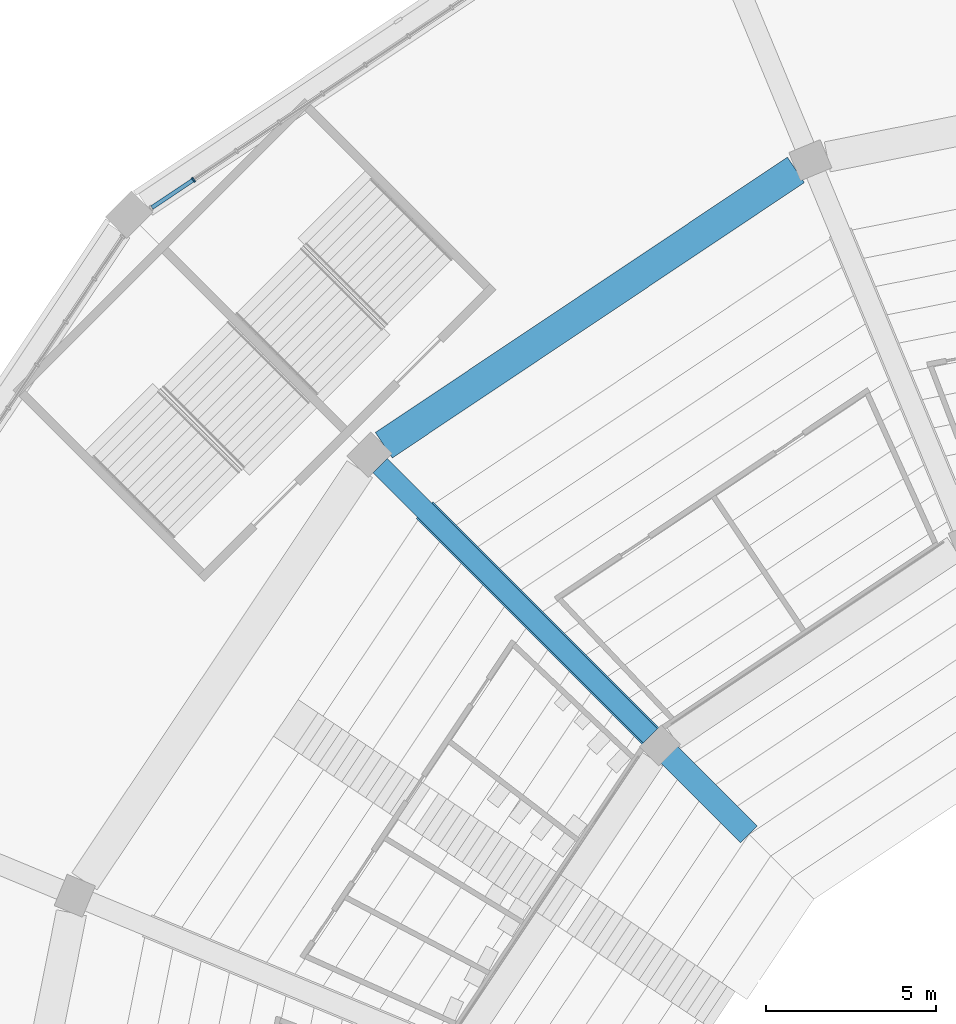
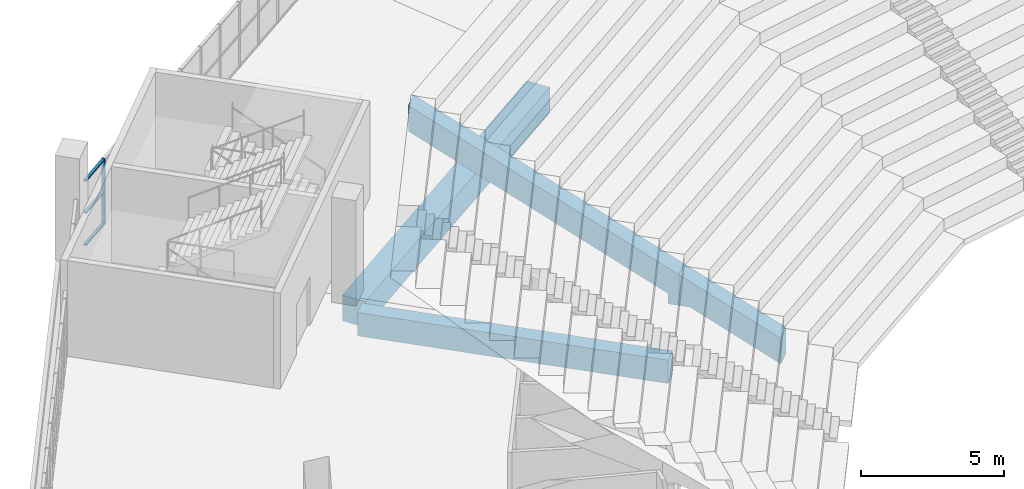
# One storey, part 46 of 249: 4 beams, 4 members, 1 element without a shape of its own.
"""IFC4 building model written with IfcOpenShell, lengths in metres."""

from ifc_helpers import new_model, si_unit, direction, frame, origin, origin_2d, place, context, subcontext, project, spatial, polyline, rectangle, outline, extrude, material, material_profile, profile_set, type_object, element, aggregate, save


model = new_model("IFC4")

# Units and contexts
model_context = context("Model", 3, precision=1e-05, world=origin(), true_north=direction((0.0, 1.0)))
body_context = subcontext(model_context, "Body", "Model", "MODEL_VIEW")
ifc_project = project(units=[si_unit("LENGTHUNIT", "METRE"), si_unit("AREAUNIT", "SQUARE_METRE"), si_unit("VOLUMEUNIT", "CUBIC_METRE"), si_unit("PLANEANGLEUNIT", "RADIAN"), si_unit("MASSUNIT", "GRAM", prefix="KILO")], contexts=[model_context])

# Site, building, storey
site_placement = place(None, origin())
site = spatial("IfcSite", under=ifc_project, at=site_placement, CompositionType="ELEMENT")
building_placement = place(site_placement, origin())
building = spatial("IfcBuilding", under=site, at=building_placement, Name="Ogive Plaza Stadium", CompositionType="ELEMENT")
storey_placement = place(building_placement, frame((0.0, 0.0, 13.5)))
storey = spatial("IfcBuildingStorey", under=building, at=storey_placement, Name="L03", CompositionType="ELEMENT", Elevation=13.5)

# Curtain wall, members
ifc_material_1 = material(Name="Bronze-anodised aluminium with laminated glass", Category="aluminium")
curtain_wall_type = type_object("IfcCurtainWallType", Name="Lancet curtain wall", PredefinedType="NOTDEFINED", material=ifc_material_1)
curtain_wall_placement = place(storey_placement, origin())
curtain_wall = element("IfcCurtainWall", 1, at=curtain_wall_placement, inside=storey, type_object=curtain_wall_type, Name="CURTAIN WALL B30 L03", PredefinedType="NOTDEFINED")
ifc_material_2 = material(Name="Bronze-anodised aluminium", Category="aluminium")
ifc_material_profile_1 = material_profile(ifc_material_2, rectangle(XDim=0.14990234375, YDim=0.050048828125, at=origin_2d()), Name="AL 150x50")
ifc_profile_set_1 = profile_set([ifc_material_profile_1], Name="Bronze-anodised aluminium")
member_type_1 = type_object("IfcMemberType", Name="Curtain wall mullion 50x150", PredefinedType="MULLION", material=ifc_profile_set_1)
member_1_placement = place(storey_placement, frame((-67.462646484375, 88.879638671875, 0.0), z_axis=(0.0, 0.0, 1.0), x_axis=(-0.55557023302, 0.831469612303, 0.0)))
member_1 = element("IfcMember", 2, at=member_1_placement, type_object=member_type_1, Name="CW-B30-L03 mullion 2", PredefinedType="MULLION", context=body_context, shape_type="SweptSolid", body=[
    extrude(rectangle(XDim=0.14990234375, YDim=0.050048828125, at=origin_2d()), origin(), (0.0, 0.0, 1.0), 2.7900390625),
])
ifc_material_3 = material(Name="Bronze-anodised aluminium", Category="aluminium")
ifc_material_profile_2 = material_profile(ifc_material_3, rectangle(XDim=0.1201171875, YDim=0.050048828125, at=origin_2d()), Name="AL 120x50")
ifc_profile_set_2 = profile_set([ifc_material_profile_2], Name="Bronze-anodised aluminium")
member_type_2 = type_object("IfcMemberType", Name="Curtain wall transom 50x120", PredefinedType="USERDEFINED", material=ifc_profile_set_2)
member_2_placement = place(storey_placement, frame((-68.686767578125, 88.0615234375, 0.02490234375), z_axis=(0.831426948977, 0.555634077892, 0.0), x_axis=(-0.555634077892, 0.831426948977, 0.0)))
member_2 = element("IfcMember", 3, at=member_2_placement, type_object=member_type_2, Name="CW-B30-L03 transom 1.1", ObjectType="TRANSOM", PredefinedType="USERDEFINED", context=body_context, shape_type="SweptSolid", body=[
    extrude(rectangle(XDim=0.1201171875, YDim=0.050048828125, at=origin_2d()), origin(), (0.0, 0.0, 1.0), 1.447265625),
])
member_3_placement = place(storey_placement, frame((-68.686767578125, 88.0615234375, 1.39501953125), z_axis=(0.831426948977, 0.555634077892, 0.0), x_axis=(-0.555634077892, 0.831426948977, 0.0)))
member_3 = element("IfcMember", 4, at=member_3_placement, type_object=member_type_2, Name="CW-B30-L03 transom 1.2", ObjectType="TRANSOM", PredefinedType="USERDEFINED", context=body_context, shape_type="SweptSolid", body=[
    extrude(rectangle(XDim=0.1201171875, YDim=0.050048828125, at=origin_2d()), origin(), (0.0, 0.0, 1.0), 1.447265625),
])
member_4_placement = place(storey_placement, frame((-68.686767578125, 88.0615234375, 2.764892578125), z_axis=(0.831426948977, 0.555634077892, 0.0), x_axis=(-0.555634077892, 0.831426948977, 0.0)))
member_4 = element("IfcMember", 5, at=member_4_placement, type_object=member_type_2, Name="CW-B30-L03 transom 1.3", ObjectType="TRANSOM", PredefinedType="USERDEFINED", context=body_context, shape_type="SweptSolid", body=[
    extrude(rectangle(XDim=0.1201171875, YDim=0.050048828125, at=origin_2d()), origin(), (0.0, 0.0, 1.0), 1.447265625),
])
aggregate(curtain_wall, [member_1, member_2, member_3, member_4])

# Beams
ifc_material_4 = material(Name="Concrete C45/55 precast", Category="concrete")
ifc_material_profile_3 = material_profile(ifc_material_4, rectangle(XDim=0.699951171875, YDim=1.10009765625, at=origin_2d()), Name="RC 700x1100")
ifc_profile_set_3 = profile_set([ifc_material_profile_3], Name="Concrete C45/55 precast")
beam_type_1 = type_object("IfcBeamType", Name="Precast raker UT back-span 700x1100", PredefinedType="USERDEFINED", material=ifc_profile_set_3)
beam_1_placement = place(storey_placement, frame((-34.0, 52.5, -13.5), z_axis=(0.0, 0.0, 1.0), x_axis=(-0.707106781187, 0.707106781187, 0.0)))
element("IfcBeam", 6, at=beam_1_placement, inside=storey, type_object=beam_type_1, Name="RAKER UT BACK-SPAN R30", ObjectType="RAKER", PredefinedType="USERDEFINED", context=body_context, shape_type="SweptSolid", body=[
    extrude(outline(polyline([(27.89990234375, 15.533203125), (28.300048828125, 15.533203125), (28.300048828125, 15.977783203125), (37.699951171875, 21.199951171875), (37.699951171875, 22.300048828125), (27.89990234375, 16.855712890625), (27.89990234375, 15.533203125)])), frame((0.0, 0.35009765625, 0.0), z_axis=(0.0, -1.0, 0.0), x_axis=(1.0, 0.0, 0.0)), (0.0, 0.0, 1.0), 0.699951171875),
])
ifc_material_5 = material(Name="Concrete C45/55 precast", Category="concrete")
ifc_material_profile_4 = material_profile(ifc_material_5, rectangle(XDim=0.699951171875, YDim=1.10009765625, at=origin_2d()), Name="RC 700x1100")
ifc_profile_set_4 = profile_set([ifc_material_profile_4], Name="Concrete C45/55 precast")
beam_type_2 = type_object("IfcBeamType", Name="Precast raker UT cantilever 700x1100", PredefinedType="USERDEFINED", material=ifc_profile_set_4)
beam_2_placement = place(storey_placement, frame((-34.0, 52.5, -13.5), z_axis=(0.0, 0.0, 1.0), x_axis=(-0.707106781187, 0.707106781187, 0.0)))
element("IfcBeam", 7, at=beam_2_placement, inside=storey, type_object=beam_type_2, Name="RAKER UT CANTILEVER R30", ObjectType="RAKER", PredefinedType="USERDEFINED", context=body_context, shape_type="SweptSolid", body=[
    extrude(outline(polyline([(24.199951171875, 13.699951171875), (27.5, 15.533203125), (27.89990234375, 15.533203125), (27.89990234375, 16.855712890625), (24.199951171875, 14.800048828125), (24.199951171875, 13.699951171875)])), frame((0.0, 0.35009765625, 0.0), z_axis=(0.0, -1.0, 0.0), x_axis=(1.0, 0.0, 0.0)), (0.0, 0.0, 1.0), 0.699951171875),
])
ifc_material_6 = material(Name="Concrete C40/50", Category="concrete")
ifc_material_profile_5 = material_profile(ifc_material_6, rectangle(XDim=0.60009765625, YDim=1.0, at=origin_2d()), Name="RC 600x1000")
ifc_profile_set_5 = profile_set([ifc_material_profile_5], Name="Concrete C40/50")
beam_type_3 = type_object("IfcBeamType", Name="RC radial beam 600x1000", PredefinedType="BEAM", material=ifc_profile_set_5)
beam_3_placement = place(storey_placement, frame((-54.01123046875, 72.51123046875, -0.909912109375), z_axis=(-0.707106781187, 0.707106781187, 0.0), x_axis=(-0.707106781187, -0.707106781187, 0.0)))
element("IfcBeam", 8, at=beam_3_placement, inside=storey, type_object=beam_type_3, Name="Radial beam L03 R30 F3F4", PredefinedType="BEAM", context=body_context, shape_type="SweptSolid", body=[
    extrude(rectangle(XDim=0.60009765625, YDim=1.0, at=origin_2d()), origin(), (0.0, 0.0, 1.0), 11.249755859375),
])
ifc_material_7 = material(Name="Concrete C40/50", Category="concrete")
ifc_material_profile_6 = material_profile(ifc_material_7, rectangle(XDim=0.89990234375, YDim=1.10009765625, at=origin_2d()), Name="RC 900x1100")
ifc_profile_set_6 = profile_set([ifc_material_profile_6], Name="Concrete C40/50")
beam_type_4 = type_object("IfcBeamType", Name="RC ring beam 900x1100", PredefinedType="BEAM", material=ifc_profile_set_6)
beam_4_placement = place(storey_placement, frame((-61.8603515625, 81.0673828125, -0.9599609375), z_axis=(0.831467933961, 0.555572744827, 0.0), x_axis=(-0.555572744827, 0.831467933961, 0.0)))
element("IfcBeam", 9, at=beam_4_placement, inside=storey, type_object=beam_type_4, Name="Ring beam F4 L03 B30", PredefinedType="BEAM", context=body_context, shape_type="SweptSolid", body=[
    extrude(rectangle(XDim=0.89990234375, YDim=1.10009765625, at=origin_2d()), origin(), (0.0, 0.0, 1.0), 14.587646484375),
])

save(model, "model.ifc")
